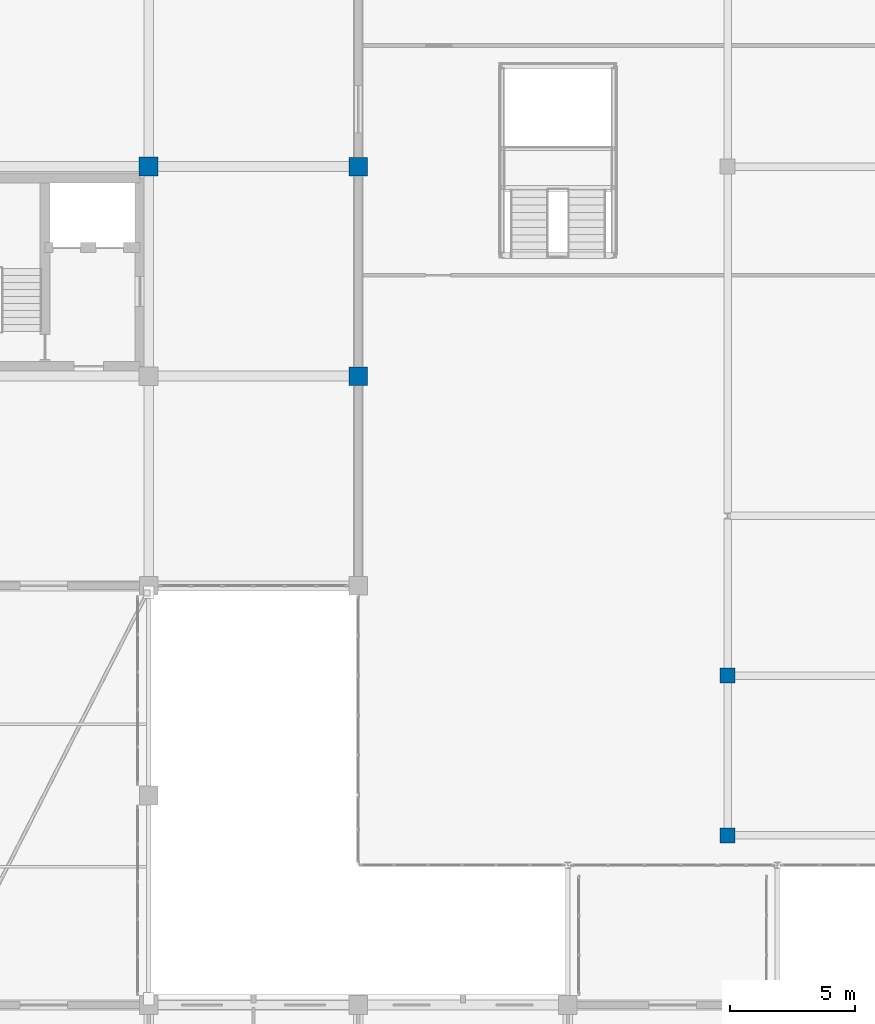
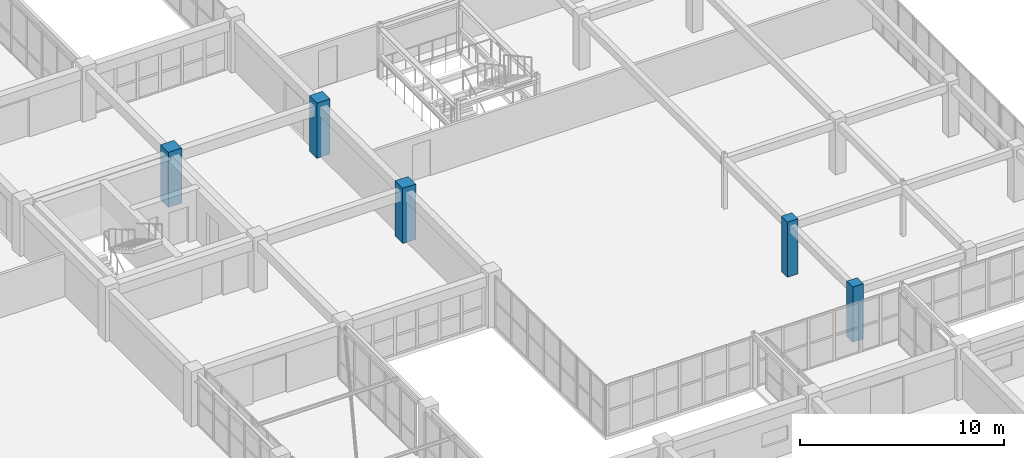
# One storey, part 12 of 200: 5 columns.
"""IFC4 building model written with IfcOpenShell, lengths in metres."""

from ifc_helpers import new_model, si_unit, direction, frame, origin, origin_2d, place, context, subcontext, project, spatial, rectangle, extrude, material, material_profile, profile_set, type_object, element, save


model = new_model("IFC4")

# Units and contexts
model_context = context("Model", 3, precision=1e-05, world=origin(), true_north=direction((0.0, 1.0)))
body_context = subcontext(model_context, "Body", "Model", "MODEL_VIEW")
ifc_project = project(units=[si_unit("LENGTHUNIT", "METRE"), si_unit("AREAUNIT", "SQUARE_METRE"), si_unit("VOLUMEUNIT", "CUBIC_METRE"), si_unit("PLANEANGLEUNIT", "RADIAN"), si_unit("MASSUNIT", "GRAM", prefix="KILO")], contexts=[model_context])

# Site, building, storey
site_placement = place(None, origin())
site = spatial("IfcSite", under=ifc_project, at=site_placement, CompositionType="ELEMENT")
building_placement = place(site_placement, origin())
building = spatial("IfcBuilding", under=site, at=building_placement, Name="Trelvath General Hospital", CompositionType="ELEMENT")
storey_placement = place(building_placement, frame((0.0, 0.0, 4.800048828125)))
storey = spatial("IfcBuildingStorey", under=building, at=storey_placement, Name="L01", CompositionType="ELEMENT", Elevation=4.800048828125)

# Columns
ifc_material_1 = material(Name="Concrete C40/50", Category="concrete")
ifc_material_profile_1 = material_profile(ifc_material_1, rectangle(XDim=0.60009765625, YDim=0.60009765625, at=origin_2d()), Name="RC600x600")
ifc_profile_set_1 = profile_set([ifc_material_profile_1], Name="Concrete C40/50")
column_type_1 = type_object("IfcColumnType", Name="Column RC600", PredefinedType="COLUMN", material=ifc_profile_set_1)
for number, where, z_axis, x_axis, name in (
    (1, (107.199951171875, 32.0, 0.0), (0.0, 0.0, 1.0), (1.0, 0.0, 0.0), "Cube Interior Column CC-E01 L01"),
    (2, (107.199951171875, 38.39990234375, 0.0), (0.0, 0.0, 1.0), (1.0, 0.0, 0.0), "Cube Interior Column CC-E02 L01"),
):
    element("IfcColumn", number, at=place(storey_placement, frame(where, z_axis=z_axis, x_axis=x_axis)), inside=storey, type_object=column_type_1, Name=name, PredefinedType="COLUMN", context=body_context, shape_type="SweptSolid", body=[
        extrude(rectangle(XDim=0.60009765625, YDim=0.60009765625, at=origin_2d()), origin(), (0.0, 0.0, 1.0), 3.300048828125),
    ])
ifc_material_2 = material(Name="Concrete C40/50", Category="concrete")
ifc_material_profile_2 = material_profile(ifc_material_2, rectangle(XDim=0.75, YDim=0.75, at=origin_2d()), Name="RC750x750")
ifc_profile_set_2 = profile_set([ifc_material_profile_2], Name="Concrete C40/50")
column_type_2 = type_object("IfcColumnType", Name="Column RC750", PredefinedType="COLUMN", material=ifc_profile_set_2)
for number, where, z_axis, x_axis, name in (
    (3, (92.39990234375, 50.39990234375, 0.0), (0.0, 0.0, 1.0), (1.0, 0.0, 0.0), "Column C-12G L01"),
    (4, (92.39990234375, 58.800048828125, 0.0), (0.0, 0.0, 1.0), (1.0, 0.0, 0.0), "Column C-12H L01"),
):
    element("IfcColumn", number, at=place(storey_placement, frame(where, z_axis=z_axis, x_axis=x_axis)), inside=storey, type_object=column_type_2, Name=name, PredefinedType="COLUMN", context=body_context, shape_type="SweptSolid", body=[
        extrude(rectangle(XDim=0.75, YDim=0.75, at=origin_2d()), origin(), (0.0, 0.0, 1.0), 3.300048828125),
    ])
ifc_material_3 = material(Name="Concrete C40/50", Category="concrete")
ifc_material_profile_3 = material_profile(ifc_material_3, rectangle(XDim=0.760009765625, YDim=0.760009765625, at=origin_2d()), Name="RC760x760")
ifc_profile_set_3 = profile_set([ifc_material_profile_3], Name="Concrete C40/50")
column_type_3 = type_object("IfcColumnType", Name="Column RC760", PredefinedType="COLUMN", material=ifc_profile_set_3)
column_placement = place(storey_placement, frame((84.0, 58.800048828125, 0.0), z_axis=(0.0, 0.0, 1.0), x_axis=(1.0, 0.0, 0.0)))
element("IfcColumn", 5, at=column_placement, inside=storey, type_object=column_type_3, Name="Column C-11H L01", PredefinedType="COLUMN", context=body_context, shape_type="SweptSolid", body=[
    extrude(rectangle(XDim=0.760009765625, YDim=0.760009765625, at=origin_2d()), origin(), (0.0, 0.0, 1.0), 3.300048828125),
])

save(model, "model.ifc")
